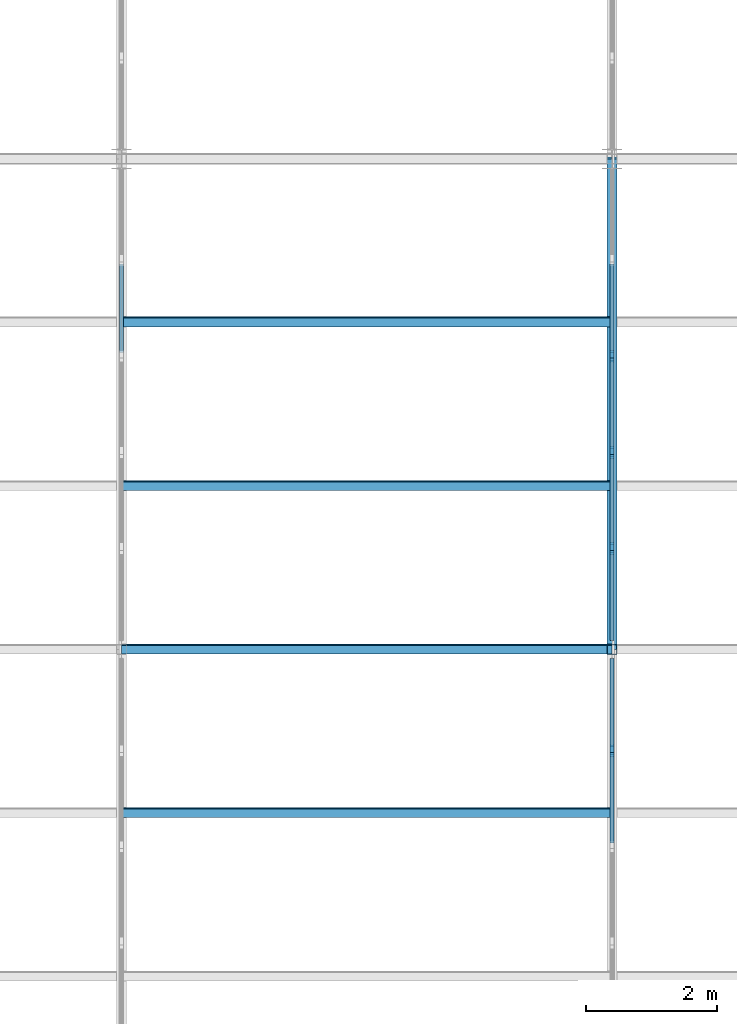
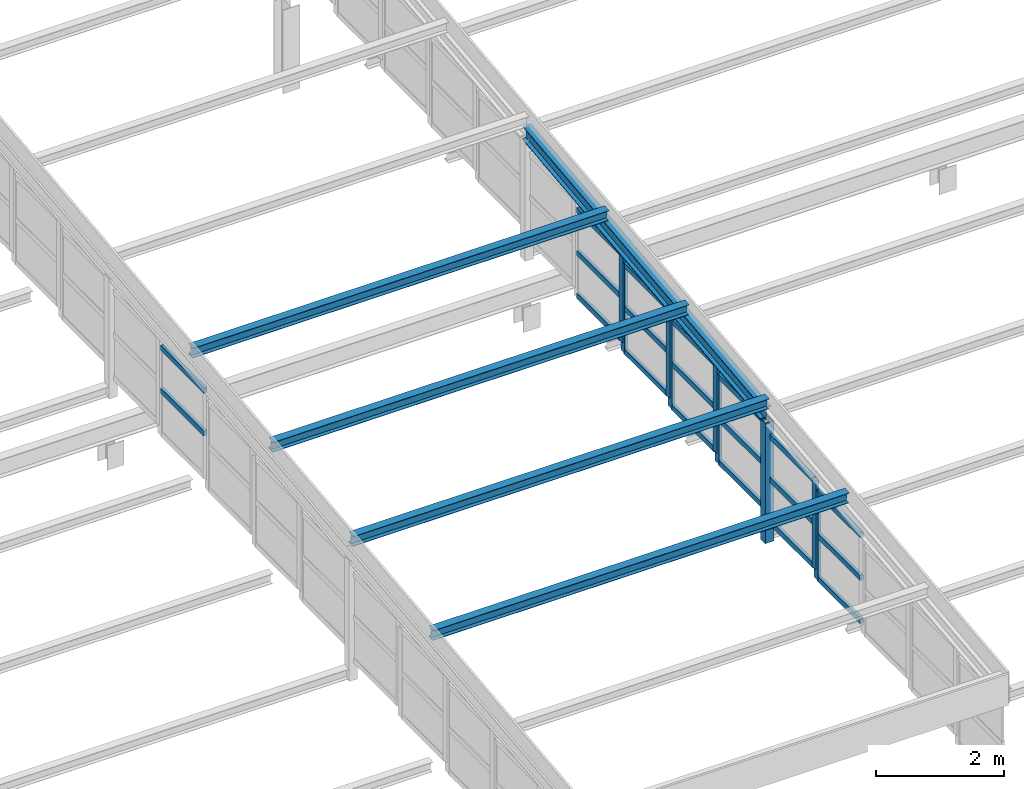
# One storey, part 52 of 483: 33 members, 1 beam, 7 elements without a shape of their own.
"""IFC4 building model written with IfcOpenShell, lengths in metres."""

import ifcopenshell
import ifcopenshell.guid

model = None  # the IFC model being written
_history = None  # IfcOwnerHistory: only IFC2X3 demands one
_inside = {}  # id of a spatial element -> (the spatial element, [elements in it])
_under = {}  # id of a project, library or spatial element -> (it, [spatial elements below it])
_declared = {}  # id of a project -> (the project, [libraries it declares])
_typed = {}  # id of a type object -> (the type object, [elements of that type])
_made_of = {}  # id of a material, layer set ... -> (it, [elements and type objects made of it])


def new_model(schema):
    """Start an empty IFC model of exactly this schema.

    Asked for "IFC4X3", IfcOpenShell would pick the latest addendum, in which some entities
    have other attributes; the version numbers below select the first issue.
    IFC2X3 requires an IfcOwnerHistory on every rooted entity: one is made here for all.
    """
    global model, _history
    if schema == "IFC4X3":
        model = ifcopenshell.file(schema_version=(4, 3, 0, 0))
    else:
        model = ifcopenshell.file(schema=schema)
    _inside.clear()
    _under.clear()
    _declared.clear()
    _typed.clear()
    _made_of.clear()
    _history = None
    if model.schema == "IFC2X3":
        org = make("IfcOrganization", Name="unknown")
        user = make(
            "IfcPersonAndOrganization",
            ThePerson=make("IfcPerson", FamilyName="unknown"),
            TheOrganization=org,
        )
        app = make(
            "IfcApplication",
            ApplicationDeveloper=org,
            Version="unknown",
            ApplicationFullName="unknown",
            ApplicationIdentifier="unknown",
        )
        _history = make(
            "IfcOwnerHistory",
            OwningUser=user,
            OwningApplication=app,
            ChangeAction="ADDED",
            CreationDate=0,
        )
    return model


def make(cls, **values):
    """One entity of the class cls with the attributes given. An attribute that is None is left unset."""
    return model.create_entity(
        cls, **{name: value for name, value in values.items() if value is not None}
    )


def rooted(cls, **values):
    """An entity with a GlobalId (a new one), such as an element, a storey or a relation."""
    return make(cls, GlobalId=ifcopenshell.guid.new(), OwnerHistory=_history, **values)


def si_unit(unit_type, name, prefix=None):
    """IfcSIUnit, for example si_unit("LENGTHUNIT", "METRE", prefix="MILLI")."""
    return make("IfcSIUnit", UnitType=unit_type, Prefix=prefix, Name=name)


def assignment(units):
    """IfcUnitAssignment: the units of a project."""
    return None if units is None else make("IfcUnitAssignment", Units=units)


def point(xyz):
    """IfcCartesianPoint."""
    return None if xyz is None else make("IfcCartesianPoint", Coordinates=xyz)


def direction(xyz):
    """IfcDirection."""
    return None if xyz is None else make("IfcDirection", DirectionRatios=xyz)


def frame(location, z_axis=None, x_axis=None):
    """IfcAxis2Placement3D, a coordinate frame: its origin and axes. An axis left out is left unset."""
    return make(
        "IfcAxis2Placement3D",
        Location=point(location),
        Axis=direction(z_axis),
        RefDirection=direction(x_axis),
    )


def frame_2d(location, x_axis=None):
    """IfcAxis2Placement2D, a coordinate frame in the plane: its origin and x axis."""
    return make(
        "IfcAxis2Placement2D", Location=point(location), RefDirection=direction(x_axis)
    )


def origin():
    """The frame at (0, 0, 0) with its axes left unset."""
    return frame((0.0, 0.0, 0.0))


def origin_2d():
    """The frame at (0, 0) in the plane with its x axis left unset."""
    return frame_2d((0.0, 0.0))


def place(relative_to, where):
    """IfcLocalPlacement: puts the frame where relative to a parent placement (None: the world)."""
    return make(
        "IfcLocalPlacement", PlacementRelTo=relative_to, RelativePlacement=where
    )


def context(
    kind, dimensions, precision=None, world=None, true_north=None, identifier=None
):
    """IfcGeometricRepresentationContext, for example the 3D "Model" context."""
    return make(
        "IfcGeometricRepresentationContext",
        ContextIdentifier=identifier,
        ContextType=kind,
        CoordinateSpaceDimension=dimensions,
        Precision=precision,
        WorldCoordinateSystem=world,
        TrueNorth=true_north,
    )


def subcontext(parent, identifier, kind, view, scale=None):
    """IfcGeometricRepresentationSubContext, for example "Body" below "Model"."""
    return make(
        "IfcGeometricRepresentationSubContext",
        ContextIdentifier=identifier,
        ContextType=kind,
        ParentContext=parent,
        TargetScale=scale,
        TargetView=view,
    )


def project(units=None, contexts=None):
    """IfcProject with its units and contexts."""
    return rooted(
        "IfcProject",
        Name="project",
        RepresentationContexts=contexts,
        UnitsInContext=assignment(units),
    )


def spatial(cls, under=None, at=None, **own):
    """A site, building, storey or space (cls), placed at a placement, below another one or the project."""
    s = rooted(cls, ObjectPlacement=at, **own)
    if under is not None:
        _under.setdefault(under.id(), (under, []))[1].append(s)
    return s


def profile(cls, at=None, kind="AREA", **sizes):
    """A parametric profile (cls). Its sizes go by their IFC names, for example OverallWidth=200.0."""
    return make(cls, ProfileType=kind, Position=at, **sizes)


def rectangle(**sizes):
    """IfcRectangleProfileDef."""
    return profile("IfcRectangleProfileDef", **sizes)


def hollow_rectangle(**sizes):
    """IfcRectangleHollowProfileDef."""
    return profile("IfcRectangleHollowProfileDef", **sizes)


def i_section(**sizes):
    """IfcIShapeProfileDef."""
    return profile("IfcIShapeProfileDef", **sizes)


def extrude(swept, where, along, depth):
    """IfcExtrudedAreaSolid: the profile swept, set in the frame where, extruded along a direction by depth."""
    return make(
        "IfcExtrudedAreaSolid",
        SweptArea=swept,
        Position=where,
        ExtrudedDirection=direction(along),
        Depth=depth,
    )


def shape(context_of_items, identifier, shape_type, items):
    """IfcShapeRepresentation: the items that make up one representation, for example the "Body"."""
    return make(
        "IfcShapeRepresentation",
        ContextOfItems=context_of_items,
        RepresentationIdentifier=identifier,
        RepresentationType=shape_type,
        Items=items,
    )


def material(Name=None, Category=None):
    """IfcMaterial."""
    return make("IfcMaterial", Name=Name, Category=Category)


def material_profile(
    of_material, cross_section, Name=None, Category=None, Priority=None
):
    """IfcMaterialProfile: a cross section and its material."""
    return make(
        "IfcMaterialProfile",
        Name=Name,
        Material=of_material,
        Profile=cross_section,
        Priority=Priority,
        Category=Category,
    )


def profile_set(profiles, Name=None, composite=None):
    """IfcMaterialProfileSet."""
    return make(
        "IfcMaterialProfileSet",
        Name=Name,
        MaterialProfiles=profiles,
        CompositeProfile=composite,
    )


def made_of(thing, what):
    """Note that an element or type object is made of a material, layer set ...; save() writes the relation."""
    if what is not None:
        _made_of.setdefault(what.id(), (what, []))[1].append(thing)
    return thing


def type_object(cls, material=None, **own):
    """A type object (cls), such as IfcWallType, which elements share."""
    return made_of(rooted(cls, **own), material)


def element(
    cls,
    number,
    at=None,
    inside=None,
    cuts=None,
    type_object=None,
    material=None,
    context=None,
    identifier="Body",
    shape_type=None,
    held_by="IfcProductDefinitionShape",
    body=None,
    shapes=None,
    **own,
):
    """One element of the class cls, such as IfcWall. Its Tag is "e" and its number.

    at: its placement. inside: the storey or other place that contains it. cuts: it is an
    opening in that element (IfcRelVoidsElement). A single representation is given by context,
    identifier, shape_type and body (its items); several are given by shapes. held_by: the class
    of the entity that holds the representations. save() writes the other relations.
    """
    e = rooted(cls, Tag="e%d" % number, ObjectPlacement=at, **own)
    if body is not None:
        shapes = [shape(context, identifier, shape_type, body)]
    if shapes is not None:
        e.Representation = make(held_by, Representations=shapes)
    if inside is not None:
        _inside.setdefault(inside.id(), (inside, []))[1].append(e)
    if cuts is not None:
        rooted(
            "IfcRelVoidsElement", RelatingBuildingElement=cuts, RelatedOpeningElement=e
        )
    if type_object is not None:
        _typed.setdefault(type_object.id(), (type_object, []))[1].append(e)
    return made_of(e, material)


def aggregate(whole, parts):
    """IfcRelAggregates: a whole, such as a stair, and the parts it consists of."""
    return rooted("IfcRelAggregates", RelatingObject=whole, RelatedObjects=parts)


def save(model, path):
    """Write the relations noted so far, then the file.

    IfcRelAggregates (storeys below a building ...), IfcRelContainedInSpatialStructure (elements
    in a storey), IfcRelDefinesByType, IfcRelAssociatesMaterial and IfcRelDeclares: one each for
    every whole, place, type object, material and project.
    """
    for whole, parts in _under.values():
        aggregate(whole, parts)
    for where, things in _inside.values():
        rooted(
            "IfcRelContainedInSpatialStructure",
            RelatedElements=things,
            RelatingStructure=where,
        )
    for kind, things in _typed.values():
        rooted("IfcRelDefinesByType", RelatedObjects=things, RelatingType=kind)
    for what, things in _made_of.values():
        rooted("IfcRelAssociatesMaterial", RelatedObjects=things, RelatingMaterial=what)
    for by, libraries in _declared.values():
        rooted("IfcRelDeclares", RelatingContext=by, RelatedDefinitions=libraries)
    model.write(path)


model = new_model("IFC4")

# Units and contexts
model_context = context("Model", 3, precision=1e-05, world=origin(), true_north=direction((0.0, 1.0)))
body_context = subcontext(model_context, "Body", "Model", "MODEL_VIEW")
ifc_project = project(units=[si_unit("LENGTHUNIT", "METRE"), si_unit("AREAUNIT", "SQUARE_METRE"), si_unit("VOLUMEUNIT", "CUBIC_METRE"), si_unit("PLANEANGLEUNIT", "RADIAN"), si_unit("MASSUNIT", "GRAM", prefix="KILO")], contexts=[model_context])

# Site, building, storey
site_placement = place(None, origin())
site = spatial("IfcSite", under=ifc_project, at=site_placement, CompositionType="ELEMENT")
building_placement = place(site_placement, origin())
building = spatial("IfcBuilding", under=site, at=building_placement, Name="Parallax Yard Mobility Hub", CompositionType="ELEMENT")
storey_placement = place(building_placement, frame((0.0, 0.0, 13.199951171875)))
storey = spatial("IfcBuildingStorey", under=building, at=storey_placement, Name="L04", CompositionType="ELEMENT", Elevation=13.199951171875)

# Beam
ifc_material_1 = material(Name="Steel ASTM A992", Category="steel")
ifc_material_profile_1 = material_profile(ifc_material_1, i_section(OverallWidth=0.14794921875, OverallDepth=0.26611328125, WebThickness=0.007568359375, FlangeThickness=0.012939453125, at=origin_2d()), Name="W250x45")
ifc_profile_set_1 = profile_set([ifc_material_profile_1], Name="Steel ASTM A992")
beam_type = type_object("IfcBeamType", Name="Monitor girder W250x45", PredefinedType="BEAM", material=ifc_profile_set_1)
beam_placement = place(storey_placement, frame((165.0, 15.0146484375, 2.849853515625), z_axis=(0.0, 0.993884918264, 0.110420873243), x_axis=(-1.0, 0.0, 0.0)))
element("IfcBeam", 1, at=beam_placement, inside=storey, type_object=beam_type, Name="Monitor girder at x 165 bay 2", PredefinedType="BEAM", context=body_context, shape_type="SweptSolid", body=[
    extrude(i_section(OverallWidth=0.14794921875, OverallDepth=0.26611328125, WebThickness=0.007568359375, FlangeThickness=0.012939453125, at=origin_2d()), origin(), (0.0, 0.0, 1.0), 7.546142578125),
])

# Member
ifc_material_2 = material(Name="Steel ASTM A500 Gr C", Category="steel")
ifc_material_profile_2 = material_profile(ifc_material_2, hollow_rectangle(XDim=0.15234375, YDim=0.15234375, WallThickness=0.009521484375, at=origin_2d()), Name="HSS152x152x9.5")
ifc_profile_set_2 = profile_set([ifc_material_profile_2], Name="Steel ASTM A500 Gr C")
member_type_1 = type_object("IfcMemberType", Name="Monitor post HSS152x152x9.5", PredefinedType="POST", material=ifc_profile_set_2)
member_1_placement = place(storey_placement, frame((165.0, 15.0, 0.45068359375), z_axis=(0.0, 0.0, 1.0), x_axis=(1.0, 0.0, 0.0)))
element("IfcMember", 2, at=member_1_placement, inside=storey, type_object=member_type_1, Name="Monitor post at x 165 y 15", PredefinedType="POST", context=body_context, shape_type="SweptSolid", body=[
    extrude(hollow_rectangle(XDim=0.15234375, YDim=0.15234375, WallThickness=0.009521484375, at=origin_2d()), origin(), (0.0, 0.0, 1.0), 2.295166015625),
])

# Curtain wall, member
ifc_material_3 = material(Name="Thermally broken aluminium curtain wall system", Category="aluminium")
curtain_wall_type = type_object("IfcCurtainWallType", Name="Clerestory glazing run 60 x 120 frame", PredefinedType="NOTDEFINED", material=ifc_material_3)
curtain_wall_1_placement = place(storey_placement, origin())
curtain_wall_1 = element("IfcCurtainWall", 3, at=curtain_wall_1_placement, inside=storey, type_object=curtain_wall_type, Name="Clerestory glazing run Bicycle and shared-mobility hall roof step 2 bay 1 level L02", PredefinedType="NOTDEFINED")
ifc_material_4 = material(Name="Extruded aluminium", Category="aluminium")
ifc_material_profile_3 = material_profile(ifc_material_4, rectangle(XDim=0.06005859375, YDim=0.1201171875, at=origin_2d()), Name="Mullion 60 x 120")
ifc_profile_set_3 = profile_set([ifc_material_profile_3], Name="Extruded aluminium")
member_type_2 = type_object("IfcMemberType", Name="Mullion 60 x 120", PredefinedType="MULLION", material=ifc_profile_set_3)
member_2_placement = place(storey_placement, frame((165.0, 13.42431640625, 0.67822265625), z_axis=(0.0, 0.0, 1.0), x_axis=(-1.0, 0.0, 0.0)))
member_2 = element("IfcMember", 4, at=member_2_placement, type_object=member_type_2, Name="CW4 mullion 2", PredefinedType="MULLION", context=body_context, shape_type="SweptSolid", body=[
    extrude(rectangle(XDim=0.06005859375, YDim=0.1201171875, at=origin_2d()), origin(), (0.0, 0.0, 1.0), 1.693115234375),
])

curtain_wall_2_placement = place(storey_placement, origin())
curtain_wall_2 = element("IfcCurtainWall", 5, at=curtain_wall_2_placement, inside=storey, type_object=curtain_wall_type, Name="Clerestory glazing run Bicycle and shared-mobility hall roof step 2 bay 1 level L02", PredefinedType="NOTDEFINED")
member_3_placement = place(storey_placement, frame((165.0, 13.484375, 0.841552734375), z_axis=(0.0, 0.0, 1.0), x_axis=(-1.0, 0.0, 0.0)))
member_3 = element("IfcMember", 6, at=member_3_placement, type_object=member_type_2, Name="CW4 mullion 1", PredefinedType="MULLION", context=body_context, shape_type="SweptSolid", body=[
    extrude(rectangle(XDim=0.06005859375, YDim=0.1201171875, at=origin_2d()), origin(), (0.0, 0.0, 1.0), 1.696533203125),
])

curtain_wall_3_placement = place(storey_placement, origin())
curtain_wall_3 = element("IfcCurtainWall", 7, at=curtain_wall_3_placement, inside=storey, type_object=curtain_wall_type, Name="Clerestory glazing run Bicycle and shared-mobility hall roof step 2 bay 2 level L02", PredefinedType="NOTDEFINED")
member_4_placement = place(storey_placement, frame((165.0, 16.515625, 1.021728515625), z_axis=(0.0, 0.0, 1.0), x_axis=(-1.0, 0.0, 0.0)))
member_4 = element("IfcMember", 8, at=member_4_placement, type_object=member_type_2, Name="CW4 mullion 2", PredefinedType="MULLION", context=body_context, shape_type="SweptSolid", body=[
    extrude(rectangle(XDim=0.06005859375, YDim=0.1201171875, at=origin_2d()), origin(), (0.0, 0.0, 1.0), 1.6943359375),
])

# Curtain wall, members
curtain_wall_4_placement = place(storey_placement, origin())
curtain_wall_4 = element("IfcCurtainWall", 9, at=curtain_wall_4_placement, inside=storey, type_object=curtain_wall_type, Name="Clerestory glazing run Bicycle and shared-mobility hall roof step 2 bay 2 level L02", PredefinedType="NOTDEFINED")
member_5_placement = place(storey_placement, frame((165.0, 16.57568359375, 1.18505859375), z_axis=(0.0, 0.0, 1.0), x_axis=(-1.0, 0.0, 0.0)))
member_5 = element("IfcMember", 10, at=member_5_placement, type_object=member_type_2, Name="CW4 mullion 1", PredefinedType="MULLION", context=body_context, shape_type="SweptSolid", body=[
    extrude(rectangle(XDim=0.06005859375, YDim=0.1201171875, at=origin_2d()), origin(), (0.0, 0.0, 1.0), 1.697509765625),
])
member_6_placement = place(storey_placement, frame((165.0, 17.985107421875, 1.18505859375), z_axis=(0.0, 0.0, 1.0), x_axis=(-1.0, 0.0, 0.0)))
member_6 = element("IfcMember", 11, at=member_6_placement, type_object=member_type_2, Name="CW4 mullion 2", PredefinedType="MULLION", context=body_context, shape_type="SweptSolid", body=[
    extrude(rectangle(XDim=0.06005859375, YDim=0.1201171875, at=origin_2d()), origin(), (0.0, 0.0, 1.0), 1.697509765625),
])

curtain_wall_5_placement = place(storey_placement, origin())
curtain_wall_5 = element("IfcCurtainWall", 12, at=curtain_wall_5_placement, inside=storey, type_object=curtain_wall_type, Name="Clerestory glazing run Bicycle and shared-mobility hall roof step 2 bay 2 level L02", PredefinedType="NOTDEFINED")
member_7_placement = place(storey_placement, frame((165.0, 18.045166015625, 1.34814453125), z_axis=(0.0, 0.0, 1.0), x_axis=(-1.0, 0.0, 0.0)))
member_7 = element("IfcMember", 13, at=member_7_placement, type_object=member_type_2, Name="CW4 mullion 1", PredefinedType="MULLION", context=body_context, shape_type="SweptSolid", body=[
    extrude(rectangle(XDim=0.06005859375, YDim=0.1201171875, at=origin_2d()), origin(), (0.0, 0.0, 1.0), 1.701171875),
])
member_8_placement = place(storey_placement, frame((165.0, 19.454833984375, 1.34814453125), z_axis=(0.0, 0.0, 1.0), x_axis=(-1.0, 0.0, 0.0)))
member_8 = element("IfcMember", 14, at=member_8_placement, type_object=member_type_2, Name="CW4 mullion 2", PredefinedType="MULLION", context=body_context, shape_type="SweptSolid", body=[
    extrude(rectangle(XDim=0.06005859375, YDim=0.1201171875, at=origin_2d()), origin(), (0.0, 0.0, 1.0), 1.701171875),
])

# Curtain wall, member
curtain_wall_6_placement = place(storey_placement, origin())
curtain_wall_6 = element("IfcCurtainWall", 15, at=curtain_wall_6_placement, inside=storey, type_object=curtain_wall_type, Name="Clerestory glazing run Bicycle and shared-mobility hall roof step 2 bay 2 level L02", PredefinedType="NOTDEFINED")
member_9_placement = place(storey_placement, frame((165.0, 19.514892578125, 1.511474609375), z_axis=(0.0, 0.0, 1.0), x_axis=(-1.0, 0.0, 0.0)))
member_9 = element("IfcMember", 16, at=member_9_placement, type_object=member_type_2, Name="CW4 mullion 1", PredefinedType="MULLION", context=body_context, shape_type="SweptSolid", body=[
    extrude(rectangle(XDim=0.06005859375, YDim=0.1201171875, at=origin_2d()), origin(), (0.0, 0.0, 1.0), 1.693359375),
])

# Members
ifc_material_profile_4 = material_profile(ifc_material_1, i_section(OverallWidth=0.133056640625, OverallDepth=0.20703125, WebThickness=0.005859375, FlangeThickness=0.00830078125, at=origin_2d()), Name="W200x27")
ifc_profile_set_4 = profile_set([ifc_material_profile_4], Name="Steel ASTM A992")
member_type_3 = type_object("IfcMemberType", Name="Roof purlin W200x27", PredefinedType="PURLIN", material=ifc_profile_set_4)
for number, where, z_axis, x_axis, name in (
    (17, (157.5, 12.511474609375, 2.808349609375), (1.0, 0.0, 0.0), (0.0, 0.993883718765, 0.110431669255), "Monitor purlin at y 12.5"),
    (18, (157.5, 15.011474609375, 3.0859375), (1.0, 0.0, 0.0), (0.0, 0.993883718765, 0.110431669255), "Monitor purlin at y 15"),
    (19, (157.5, 17.511474609375, 3.36376953125), (1.0, 0.0, 0.0), (0.0, 0.993883718765, 0.110431669255), "Monitor purlin at y 17.5"),
    (20, (157.5, 20.011474609375, 3.6416015625), (1.0, 0.0, 0.0), (0.0, 0.993883718765, 0.110431669255), "Monitor purlin at y 20"),
):
    element("IfcMember", number, at=place(storey_placement, frame(where, z_axis=z_axis, x_axis=x_axis)), inside=storey, type_object=member_type_3, Name=name, PredefinedType="PURLIN", context=body_context, shape_type="SweptSolid", body=[
        extrude(i_section(OverallWidth=0.133056640625, OverallDepth=0.20703125, WebThickness=0.005859375, FlangeThickness=0.00830078125, at=origin_2d()), origin(), (0.0, 0.0, 1.0), 7.5),
    ])

# Curtain wall, members
curtain_wall_7_placement = place(storey_placement, origin())
curtain_wall_7 = element("IfcCurtainWall", 21, at=curtain_wall_7_placement, inside=storey, type_object=curtain_wall_type, Name="Clerestory glazing run Bicycle and shared-mobility hall roof step 1 bay 2 level L02", PredefinedType="NOTDEFINED")
ifc_material_profile_5 = material_profile(ifc_material_4, rectangle(XDim=0.06005859375, YDim=0.10009765625, at=origin_2d()), Name="Transom 60 x 100")
ifc_profile_set_5 = profile_set([ifc_material_profile_5], Name="Extruded aluminium")
member_type_4 = type_object("IfcMemberType", Name="Transom 60 x 100", PredefinedType="USERDEFINED", material=ifc_profile_set_5)
member_10_placement = place(storey_placement, frame((157.5, 19.544921875, 2.358154296875), z_axis=(0.0, 1.0, 0.0), x_axis=(-1.0, 0.0, 0.0)))
member_10 = element("IfcMember", 22, at=member_10_placement, type_object=member_type_4, Name="CW4 transom 1.2", ObjectType="TRANSOM", PredefinedType="USERDEFINED", context=body_context, shape_type="SweptSolid", body=[
    extrude(rectangle(XDim=0.06005859375, YDim=0.10009765625, at=origin_2d()), origin(), (0.0, 0.0, 1.0), 1.349365234375),
])
member_11_placement = place(storey_placement, frame((157.5, 19.544921875, 3.1748046875), z_axis=(0.0, 1.0, 0.0), x_axis=(-1.0, 0.0, 0.0)))
member_11 = element("IfcMember", 23, at=member_11_placement, type_object=member_type_4, Name="CW4 transom 1.3", ObjectType="TRANSOM", PredefinedType="USERDEFINED", context=body_context, shape_type="SweptSolid", body=[
    extrude(rectangle(XDim=0.06005859375, YDim=0.10009765625, at=origin_2d()), origin(), (0.0, 0.0, 1.0), 1.349365234375),
])
aggregate(curtain_wall_7, [member_10, member_11])

# Member
member_12_placement = place(storey_placement, frame((165.0, 12.044921875, 0.708251953125), z_axis=(0.0, 1.0, 0.0), x_axis=(-1.0, 0.0, 0.0)))
member_12 = element("IfcMember", 24, at=member_12_placement, type_object=member_type_4, Name="CW4 transom 1.1", ObjectType="TRANSOM", PredefinedType="USERDEFINED", context=body_context, shape_type="SweptSolid", body=[
    extrude(rectangle(XDim=0.06005859375, YDim=0.10009765625, at=origin_2d()), origin(), (0.0, 0.0, 1.0), 1.349365234375),
])

member_13_placement = place(storey_placement, frame((165.0, 12.044921875, 1.52490234375), z_axis=(0.0, 1.0, 0.0), x_axis=(-1.0, 0.0, 0.0)))
member_13 = element("IfcMember", 25, at=member_13_placement, type_object=member_type_4, Name="CW4 transom 1.2", ObjectType="TRANSOM", PredefinedType="USERDEFINED", context=body_context, shape_type="SweptSolid", body=[
    extrude(rectangle(XDim=0.06005859375, YDim=0.10009765625, at=origin_2d()), origin(), (0.0, 0.0, 1.0), 1.349365234375),
])

member_14_placement = place(storey_placement, frame((165.0, 12.044921875, 2.341552734375), z_axis=(0.0, 1.0, 0.0), x_axis=(-1.0, 0.0, 0.0)))
member_14 = element("IfcMember", 26, at=member_14_placement, type_object=member_type_4, Name="CW4 transom 1.3", ObjectType="TRANSOM", PredefinedType="USERDEFINED", context=body_context, shape_type="SweptSolid", body=[
    extrude(rectangle(XDim=0.06005859375, YDim=0.10009765625, at=origin_2d()), origin(), (0.0, 0.0, 1.0), 1.349365234375),
])

aggregate(curtain_wall_1, [member_2, member_12, member_13, member_14])

member_15_placement = place(storey_placement, frame((165.0, 13.514404296875, 0.871337890625), z_axis=(0.0, 1.0, 0.0), x_axis=(-1.0, 0.0, 0.0)))
member_15 = element("IfcMember", 27, at=member_15_placement, type_object=member_type_4, Name="CW4 transom 1.1", ObjectType="TRANSOM", PredefinedType="USERDEFINED", context=body_context, shape_type="SweptSolid", body=[
    extrude(rectangle(XDim=0.06005859375, YDim=0.10009765625, at=origin_2d()), origin(), (0.0, 0.0, 1.0), 1.349365234375),
])

member_16_placement = place(storey_placement, frame((165.0, 13.514404296875, 1.689697265625), z_axis=(0.0, 1.0, 0.0), x_axis=(-1.0, 0.0, 0.0)))
member_16 = element("IfcMember", 28, at=member_16_placement, type_object=member_type_4, Name="CW4 transom 1.2", ObjectType="TRANSOM", PredefinedType="USERDEFINED", context=body_context, shape_type="SweptSolid", body=[
    extrude(rectangle(XDim=0.06005859375, YDim=0.10009765625, at=origin_2d()), origin(), (0.0, 0.0, 1.0), 1.349365234375),
])

member_17_placement = place(storey_placement, frame((165.0, 13.514404296875, 2.508056640625), z_axis=(0.0, 1.0, 0.0), x_axis=(-1.0, 0.0, 0.0)))
member_17 = element("IfcMember", 29, at=member_17_placement, type_object=member_type_4, Name="CW4 transom 1.3", ObjectType="TRANSOM", PredefinedType="USERDEFINED", context=body_context, shape_type="SweptSolid", body=[
    extrude(rectangle(XDim=0.06005859375, YDim=0.10009765625, at=origin_2d()), origin(), (0.0, 0.0, 1.0), 1.349365234375),
])

aggregate(curtain_wall_2, [member_3, member_15, member_16, member_17])

member_18_placement = place(storey_placement, frame((165.0, 15.13623046875, 1.0517578125), z_axis=(0.0, 1.0, 0.0), x_axis=(-1.0, 0.0, 0.0)))
member_18 = element("IfcMember", 30, at=member_18_placement, type_object=member_type_4, Name="CW4 transom 1.1", ObjectType="TRANSOM", PredefinedType="USERDEFINED", context=body_context, shape_type="SweptSolid", body=[
    extrude(rectangle(XDim=0.06005859375, YDim=0.10009765625, at=origin_2d()), origin(), (0.0, 0.0, 1.0), 1.349365234375),
])

member_19_placement = place(storey_placement, frame((165.0, 15.13623046875, 1.868896484375), z_axis=(0.0, 1.0, 0.0), x_axis=(-1.0, 0.0, 0.0)))
member_19 = element("IfcMember", 31, at=member_19_placement, type_object=member_type_4, Name="CW4 transom 1.2", ObjectType="TRANSOM", PredefinedType="USERDEFINED", context=body_context, shape_type="SweptSolid", body=[
    extrude(rectangle(XDim=0.06005859375, YDim=0.10009765625, at=origin_2d()), origin(), (0.0, 0.0, 1.0), 1.349365234375),
])

member_20_placement = place(storey_placement, frame((165.0, 15.13623046875, 2.68603515625), z_axis=(0.0, 1.0, 0.0), x_axis=(-1.0, 0.0, 0.0)))
member_20 = element("IfcMember", 32, at=member_20_placement, type_object=member_type_4, Name="CW4 transom 1.3", ObjectType="TRANSOM", PredefinedType="USERDEFINED", context=body_context, shape_type="SweptSolid", body=[
    extrude(rectangle(XDim=0.06005859375, YDim=0.10009765625, at=origin_2d()), origin(), (0.0, 0.0, 1.0), 1.349365234375),
])

aggregate(curtain_wall_3, [member_4, member_18, member_19, member_20])

member_21_placement = place(storey_placement, frame((165.0, 16.605712890625, 1.21484375), z_axis=(0.0, 1.0, 0.0), x_axis=(-1.0, 0.0, 0.0)))
member_21 = element("IfcMember", 33, at=member_21_placement, type_object=member_type_4, Name="CW4 transom 1.1", ObjectType="TRANSOM", PredefinedType="USERDEFINED", context=body_context, shape_type="SweptSolid", body=[
    extrude(rectangle(XDim=0.06005859375, YDim=0.10009765625, at=origin_2d()), origin(), (0.0, 0.0, 1.0), 1.349365234375),
])

member_22_placement = place(storey_placement, frame((165.0, 16.605712890625, 2.03369140625), z_axis=(0.0, 1.0, 0.0), x_axis=(-1.0, 0.0, 0.0)))
member_22 = element("IfcMember", 34, at=member_22_placement, type_object=member_type_4, Name="CW4 transom 1.2", ObjectType="TRANSOM", PredefinedType="USERDEFINED", context=body_context, shape_type="SweptSolid", body=[
    extrude(rectangle(XDim=0.06005859375, YDim=0.10009765625, at=origin_2d()), origin(), (0.0, 0.0, 1.0), 1.349365234375),
])

member_23_placement = place(storey_placement, frame((165.0, 16.605712890625, 2.8525390625), z_axis=(0.0, 1.0, 0.0), x_axis=(-1.0, 0.0, 0.0)))
member_23 = element("IfcMember", 35, at=member_23_placement, type_object=member_type_4, Name="CW4 transom 1.3", ObjectType="TRANSOM", PredefinedType="USERDEFINED", context=body_context, shape_type="SweptSolid", body=[
    extrude(rectangle(XDim=0.06005859375, YDim=0.10009765625, at=origin_2d()), origin(), (0.0, 0.0, 1.0), 1.349365234375),
])

aggregate(curtain_wall_4, [member_5, member_6, member_21, member_22, member_23])

member_24_placement = place(storey_placement, frame((165.0, 18.0751953125, 1.378173828125), z_axis=(0.0, 1.0, 0.0), x_axis=(-1.0, 0.0, 0.0)))
member_24 = element("IfcMember", 36, at=member_24_placement, type_object=member_type_4, Name="CW4 transom 1.1", ObjectType="TRANSOM", PredefinedType="USERDEFINED", context=body_context, shape_type="SweptSolid", body=[
    extrude(rectangle(XDim=0.06005859375, YDim=0.10009765625, at=origin_2d()), origin(), (0.0, 0.0, 1.0), 1.349609375),
])

member_25_placement = place(storey_placement, frame((165.0, 18.0751953125, 2.19873046875), z_axis=(0.0, 1.0, 0.0), x_axis=(-1.0, 0.0, 0.0)))
member_25 = element("IfcMember", 37, at=member_25_placement, type_object=member_type_4, Name="CW4 transom 1.2", ObjectType="TRANSOM", PredefinedType="USERDEFINED", context=body_context, shape_type="SweptSolid", body=[
    extrude(rectangle(XDim=0.06005859375, YDim=0.10009765625, at=origin_2d()), origin(), (0.0, 0.0, 1.0), 1.349609375),
])

member_26_placement = place(storey_placement, frame((165.0, 18.0751953125, 3.019287109375), z_axis=(0.0, 1.0, 0.0), x_axis=(-1.0, 0.0, 0.0)))
member_26 = element("IfcMember", 38, at=member_26_placement, type_object=member_type_4, Name="CW4 transom 1.3", ObjectType="TRANSOM", PredefinedType="USERDEFINED", context=body_context, shape_type="SweptSolid", body=[
    extrude(rectangle(XDim=0.06005859375, YDim=0.10009765625, at=origin_2d()), origin(), (0.0, 0.0, 1.0), 1.349609375),
])

aggregate(curtain_wall_5, [member_7, member_8, member_24, member_25, member_26])

member_27_placement = place(storey_placement, frame((165.0, 19.544921875, 1.54150390625), z_axis=(0.0, 1.0, 0.0), x_axis=(-1.0, 0.0, 0.0)))
member_27 = element("IfcMember", 39, at=member_27_placement, type_object=member_type_4, Name="CW4 transom 1.1", ObjectType="TRANSOM", PredefinedType="USERDEFINED", context=body_context, shape_type="SweptSolid", body=[
    extrude(rectangle(XDim=0.06005859375, YDim=0.10009765625, at=origin_2d()), origin(), (0.0, 0.0, 1.0), 1.349365234375),
])

member_28_placement = place(storey_placement, frame((165.0, 19.544921875, 2.358154296875), z_axis=(0.0, 1.0, 0.0), x_axis=(-1.0, 0.0, 0.0)))
member_28 = element("IfcMember", 40, at=member_28_placement, type_object=member_type_4, Name="CW4 transom 1.2", ObjectType="TRANSOM", PredefinedType="USERDEFINED", context=body_context, shape_type="SweptSolid", body=[
    extrude(rectangle(XDim=0.06005859375, YDim=0.10009765625, at=origin_2d()), origin(), (0.0, 0.0, 1.0), 1.349365234375),
])

member_29_placement = place(storey_placement, frame((165.0, 19.544921875, 3.1748046875), z_axis=(0.0, 1.0, 0.0), x_axis=(-1.0, 0.0, 0.0)))
member_29 = element("IfcMember", 41, at=member_29_placement, type_object=member_type_4, Name="CW4 transom 1.3", ObjectType="TRANSOM", PredefinedType="USERDEFINED", context=body_context, shape_type="SweptSolid", body=[
    extrude(rectangle(XDim=0.06005859375, YDim=0.10009765625, at=origin_2d()), origin(), (0.0, 0.0, 1.0), 1.349365234375),
])

aggregate(curtain_wall_6, [member_9, member_27, member_28, member_29])

save(model, "model.ifc")
